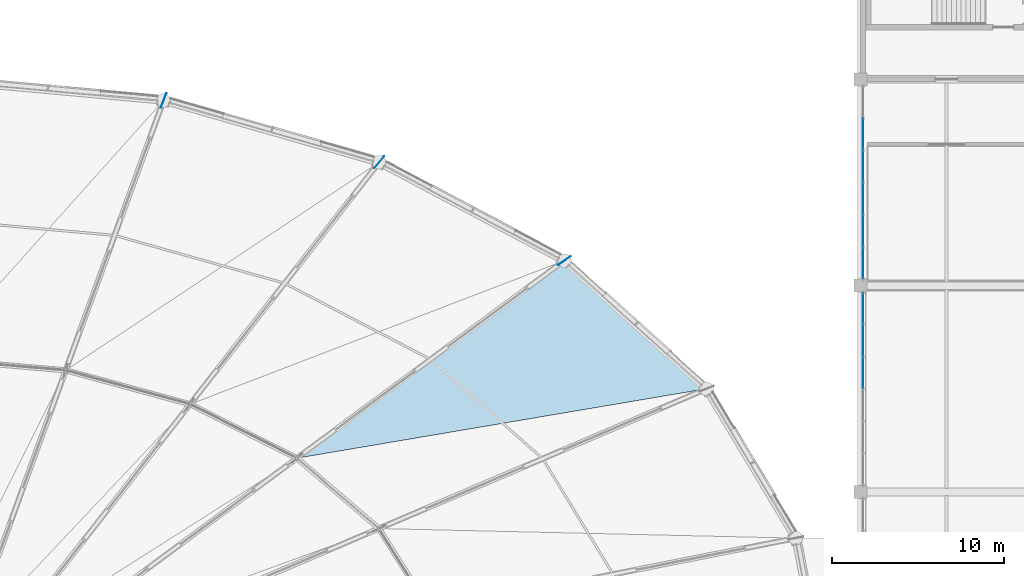
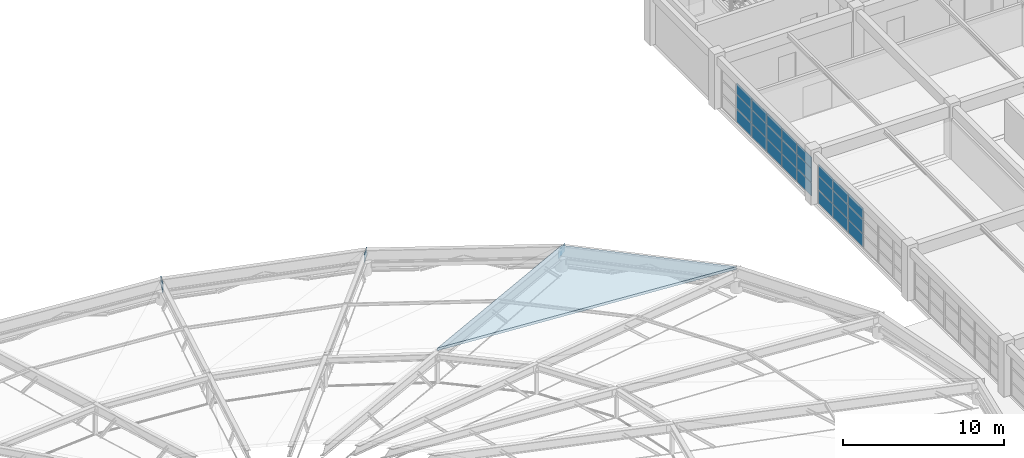
# One storey, part 54 of 83: 27 plates, 1 slab, 3 elements without a shape of their own.
"""IFC4 building model written with IfcOpenShell, lengths in metres."""

from ifc_helpers import new_model, si_unit, direction, frame, origin, origin_2d, place, context, subcontext, project, spatial, polyline, rectangle, outline, extrude, material, layer, layer_set, type_object, element, aggregate, save


model = new_model("IFC4")

# Units and contexts
model_context = context("Model", 3, precision=1e-05, world=origin(), true_north=direction((0.0, 1.0)))
body_context = subcontext(model_context, "Body", "Model", "MODEL_VIEW")
ifc_project = project(units=[si_unit("LENGTHUNIT", "METRE"), si_unit("AREAUNIT", "SQUARE_METRE"), si_unit("VOLUMEUNIT", "CUBIC_METRE"), si_unit("PLANEANGLEUNIT", "RADIAN"), si_unit("MASSUNIT", "GRAM", prefix="KILO")], contexts=[model_context])

# Site, building, storey
site_placement = place(None, origin())
site = spatial("IfcSite", under=ifc_project, at=site_placement, CompositionType="ELEMENT")
building_placement = place(site_placement, origin())
building = spatial("IfcBuilding", under=site, at=building_placement, Name="Kivolera Central Railway Station", CompositionType="ELEMENT")
storey_placement = place(building_placement, frame((0.0, 0.0, 14.39990234375)))
storey = spatial("IfcBuildingStorey", under=building, at=storey_placement, Name="L03", CompositionType="ELEMENT", Elevation=14.39990234375)

# Curtain wall, plates
ifc_material_1 = material(Name="Anodised aluminium", Category="aluminium")
ifc_layer_1 = layer(ifc_material_1, 0.179931640625, Name="Anodised aluminium")
ifc_layer_set_1 = layer_set([ifc_layer_1], Name="Anodised aluminium")
curtain_wall_type = type_object("IfcCurtainWallType", Name="CW-SYS-30", PredefinedType="NOTDEFINED", material=ifc_layer_set_1)
curtain_wall_1_placement = place(storey_placement, origin())
curtain_wall_1 = element("IfcCurtainWall", 1, at=curtain_wall_1_placement, inside=storey, type_object=curtain_wall_type, Name="L03 Curtain Wall CW-L03-WEST-J", PredefinedType="NOTDEFINED")
ifc_material_2 = material(Name="Double low-E laminated glass", Category="glass")
ifc_layer_2 = layer(ifc_material_2, 0.030029296875, Name="Double low-E laminated glass")
ifc_layer_set_2 = layer_set([ifc_layer_2], Name="Double low-E laminated glass")
plate_type_1 = type_object("IfcPlateType", Name="CWP-GLZ-2", PredefinedType="CURTAIN_PANEL", material=ifc_layer_set_2)
plate_1_placement = place(storey_placement, frame((118.14501953125, 108.938232421875, 0.05810546875), z_axis=(0.0, 0.0, 1.0), x_axis=(0.0, 1.0, 0.0)))
plate_1 = element("IfcPlate", 2, at=plate_1_placement, type_object=plate_type_1, Name="CW-30 panel 4.1", PredefinedType="CURTAIN_PANEL", context=body_context, shape_type="SweptSolid", body=[
    extrude(rectangle(XDim=1.83056640625, YDim=0.030029296875, at=origin_2d()), origin(), (0.0, 0.0, 1.0), 0.996337890625),
])
plate_2_placement = place(storey_placement, frame((118.14501953125, 108.938232421875, 1.100341796875), z_axis=(0.0, 0.0, 1.0), x_axis=(0.0, 1.0, 0.0)))
plate_2 = element("IfcPlate", 3, at=plate_2_placement, type_object=plate_type_1, Name="CW-30 panel 4.2", PredefinedType="CURTAIN_PANEL", context=body_context, shape_type="SweptSolid", body=[
    extrude(rectangle(XDim=1.83056640625, YDim=0.030029296875, at=origin_2d()), origin(), (0.0, 0.0, 1.0), 1.03125),
])
plate_3_placement = place(storey_placement, frame((118.14501953125, 108.938232421875, 2.177734375), z_axis=(0.0, 0.0, 1.0), x_axis=(0.0, 1.0, 0.0)))
plate_3 = element("IfcPlate", 4, at=plate_3_placement, type_object=plate_type_1, Name="CW-30 panel 4.3", PredefinedType="CURTAIN_PANEL", context=body_context, shape_type="SweptSolid", body=[
    extrude(rectangle(XDim=1.83056640625, YDim=0.030029296875, at=origin_2d()), origin(), (0.0, 0.0, 1.0), 0.84228515625),
])
plate_4_placement = place(storey_placement, frame((118.14501953125, 110.81494140625, 0.05810546875), z_axis=(0.0, 0.0, 1.0), x_axis=(0.0, 1.0, 0.0)))
plate_4 = element("IfcPlate", 5, at=plate_4_placement, type_object=plate_type_1, Name="CW-30 panel 5.1", PredefinedType="CURTAIN_PANEL", context=body_context, shape_type="SweptSolid", body=[
    extrude(rectangle(XDim=1.83056640625, YDim=0.030029296875, at=origin_2d()), origin(), (0.0, 0.0, 1.0), 0.996337890625),
])
plate_5_placement = place(storey_placement, frame((118.14501953125, 110.81494140625, 1.100341796875), z_axis=(0.0, 0.0, 1.0), x_axis=(0.0, 1.0, 0.0)))
plate_5 = element("IfcPlate", 6, at=plate_5_placement, type_object=plate_type_1, Name="CW-30 panel 5.2", PredefinedType="CURTAIN_PANEL", context=body_context, shape_type="SweptSolid", body=[
    extrude(rectangle(XDim=1.83056640625, YDim=0.030029296875, at=origin_2d()), origin(), (0.0, 0.0, 1.0), 1.03125),
])
plate_6_placement = place(storey_placement, frame((118.14501953125, 110.81494140625, 2.177734375), z_axis=(0.0, 0.0, 1.0), x_axis=(0.0, 1.0, 0.0)))
plate_6 = element("IfcPlate", 7, at=plate_6_placement, type_object=plate_type_1, Name="CW-30 panel 5.3", PredefinedType="CURTAIN_PANEL", context=body_context, shape_type="SweptSolid", body=[
    extrude(rectangle(XDim=1.83056640625, YDim=0.030029296875, at=origin_2d()), origin(), (0.0, 0.0, 1.0), 0.84228515625),
])
plate_7_placement = place(storey_placement, frame((118.14501953125, 112.674072265625, 0.05810546875), z_axis=(0.0, 0.0, 1.0), x_axis=(0.0, 1.0, 0.0)))
plate_7 = element("IfcPlate", 8, at=plate_7_placement, type_object=plate_type_1, Name="CW-30 panel 6.1", PredefinedType="CURTAIN_PANEL", context=body_context, shape_type="SweptSolid", body=[
    extrude(rectangle(XDim=1.795654296875, YDim=0.030029296875, at=origin_2d()), origin(), (0.0, 0.0, 1.0), 0.996337890625),
])
plate_8_placement = place(storey_placement, frame((118.14501953125, 112.674072265625, 1.100341796875), z_axis=(0.0, 0.0, 1.0), x_axis=(0.0, 1.0, 0.0)))
plate_8 = element("IfcPlate", 9, at=plate_8_placement, type_object=plate_type_1, Name="CW-30 panel 6.2", PredefinedType="CURTAIN_PANEL", context=body_context, shape_type="SweptSolid", body=[
    extrude(rectangle(XDim=1.795654296875, YDim=0.030029296875, at=origin_2d()), origin(), (0.0, 0.0, 1.0), 1.03125),
])
plate_9_placement = place(storey_placement, frame((118.14501953125, 112.674072265625, 2.177734375), z_axis=(0.0, 0.0, 1.0), x_axis=(0.0, 1.0, 0.0)))
plate_9 = element("IfcPlate", 10, at=plate_9_placement, type_object=plate_type_1, Name="CW-30 panel 6.3", PredefinedType="CURTAIN_PANEL", context=body_context, shape_type="SweptSolid", body=[
    extrude(rectangle(XDim=1.795654296875, YDim=0.030029296875, at=origin_2d()), origin(), (0.0, 0.0, 1.0), 0.84228515625),
])
aggregate(curtain_wall_1, [plate_1, plate_2, plate_3, plate_4, plate_5, plate_6, plate_7, plate_8, plate_9])

curtain_wall_2_placement = place(storey_placement, origin())
curtain_wall_2 = element("IfcCurtainWall", 11, at=curtain_wall_2_placement, inside=storey, type_object=curtain_wall_type, Name="L03 Curtain Wall CW-L03-WEST-K", PredefinedType="NOTDEFINED")
plate_10_placement = place(storey_placement, frame((118.14501953125, 115.325927734375, 0.05810546875), z_axis=(0.0, 0.0, 1.0), x_axis=(0.0, 1.0, 0.0)))
plate_10 = element("IfcPlate", 12, at=plate_10_placement, type_object=plate_type_1, Name="CW-30 panel 1.1", PredefinedType="CURTAIN_PANEL", context=body_context, shape_type="SweptSolid", body=[
    extrude(rectangle(XDim=1.795654296875, YDim=0.030029296875, at=origin_2d()), origin(), (0.0, 0.0, 1.0), 0.996337890625),
])
plate_11_placement = place(storey_placement, frame((118.14501953125, 115.325927734375, 1.100341796875), z_axis=(0.0, 0.0, 1.0), x_axis=(0.0, 1.0, 0.0)))
plate_11 = element("IfcPlate", 13, at=plate_11_placement, type_object=plate_type_1, Name="CW-30 panel 1.2", PredefinedType="CURTAIN_PANEL", context=body_context, shape_type="SweptSolid", body=[
    extrude(rectangle(XDim=1.795654296875, YDim=0.030029296875, at=origin_2d()), origin(), (0.0, 0.0, 1.0), 1.03125),
])
plate_12_placement = place(storey_placement, frame((118.14501953125, 115.325927734375, 2.177734375), z_axis=(0.0, 0.0, 1.0), x_axis=(0.0, 1.0, 0.0)))
plate_12 = element("IfcPlate", 14, at=plate_12_placement, type_object=plate_type_1, Name="CW-30 panel 1.3", PredefinedType="CURTAIN_PANEL", context=body_context, shape_type="SweptSolid", body=[
    extrude(rectangle(XDim=1.795654296875, YDim=0.030029296875, at=origin_2d()), origin(), (0.0, 0.0, 1.0), 0.84228515625),
])
plate_13_placement = place(storey_placement, frame((118.14501953125, 117.18505859375, 0.05810546875), z_axis=(0.0, 0.0, 1.0), x_axis=(0.0, 1.0, 0.0)))
plate_13 = element("IfcPlate", 15, at=plate_13_placement, type_object=plate_type_1, Name="CW-30 panel 2.1", PredefinedType="CURTAIN_PANEL", context=body_context, shape_type="SweptSolid", body=[
    extrude(rectangle(XDim=1.83056640625, YDim=0.030029296875, at=origin_2d()), origin(), (0.0, 0.0, 1.0), 0.996337890625),
])
plate_14_placement = place(storey_placement, frame((118.14501953125, 117.18505859375, 1.100341796875), z_axis=(0.0, 0.0, 1.0), x_axis=(0.0, 1.0, 0.0)))
plate_14 = element("IfcPlate", 16, at=plate_14_placement, type_object=plate_type_1, Name="CW-30 panel 2.2", PredefinedType="CURTAIN_PANEL", context=body_context, shape_type="SweptSolid", body=[
    extrude(rectangle(XDim=1.83056640625, YDim=0.030029296875, at=origin_2d()), origin(), (0.0, 0.0, 1.0), 1.03125),
])
plate_15_placement = place(storey_placement, frame((118.14501953125, 117.18505859375, 2.177734375), z_axis=(0.0, 0.0, 1.0), x_axis=(0.0, 1.0, 0.0)))
plate_15 = element("IfcPlate", 17, at=plate_15_placement, type_object=plate_type_1, Name="CW-30 panel 2.3", PredefinedType="CURTAIN_PANEL", context=body_context, shape_type="SweptSolid", body=[
    extrude(rectangle(XDim=1.83056640625, YDim=0.030029296875, at=origin_2d()), origin(), (0.0, 0.0, 1.0), 0.84228515625),
])
plate_16_placement = place(storey_placement, frame((118.14501953125, 119.061767578125, 0.05810546875), z_axis=(0.0, 0.0, 1.0), x_axis=(0.0, 1.0, 0.0)))
plate_16 = element("IfcPlate", 18, at=plate_16_placement, type_object=plate_type_1, Name="CW-30 panel 3.1", PredefinedType="CURTAIN_PANEL", context=body_context, shape_type="SweptSolid", body=[
    extrude(rectangle(XDim=1.83056640625, YDim=0.030029296875, at=origin_2d()), origin(), (0.0, 0.0, 1.0), 0.996337890625),
])
plate_17_placement = place(storey_placement, frame((118.14501953125, 119.061767578125, 1.100341796875), z_axis=(0.0, 0.0, 1.0), x_axis=(0.0, 1.0, 0.0)))
plate_17 = element("IfcPlate", 19, at=plate_17_placement, type_object=plate_type_1, Name="CW-30 panel 3.2", PredefinedType="CURTAIN_PANEL", context=body_context, shape_type="SweptSolid", body=[
    extrude(rectangle(XDim=1.83056640625, YDim=0.030029296875, at=origin_2d()), origin(), (0.0, 0.0, 1.0), 1.03125),
])
plate_18_placement = place(storey_placement, frame((118.14501953125, 119.061767578125, 2.177734375), z_axis=(0.0, 0.0, 1.0), x_axis=(0.0, 1.0, 0.0)))
plate_18 = element("IfcPlate", 20, at=plate_18_placement, type_object=plate_type_1, Name="CW-30 panel 3.3", PredefinedType="CURTAIN_PANEL", context=body_context, shape_type="SweptSolid", body=[
    extrude(rectangle(XDim=1.83056640625, YDim=0.030029296875, at=origin_2d()), origin(), (0.0, 0.0, 1.0), 0.84228515625),
])
plate_19_placement = place(storey_placement, frame((118.14501953125, 120.938232421875, 0.05810546875), z_axis=(0.0, 0.0, 1.0), x_axis=(0.0, 1.0, 0.0)))
plate_19 = element("IfcPlate", 21, at=plate_19_placement, type_object=plate_type_1, Name="CW-30 panel 4.1", PredefinedType="CURTAIN_PANEL", context=body_context, shape_type="SweptSolid", body=[
    extrude(rectangle(XDim=1.83056640625, YDim=0.030029296875, at=origin_2d()), origin(), (0.0, 0.0, 1.0), 0.996337890625),
])
plate_20_placement = place(storey_placement, frame((118.14501953125, 120.938232421875, 1.100341796875), z_axis=(0.0, 0.0, 1.0), x_axis=(0.0, 1.0, 0.0)))
plate_20 = element("IfcPlate", 22, at=plate_20_placement, type_object=plate_type_1, Name="CW-30 panel 4.2", PredefinedType="CURTAIN_PANEL", context=body_context, shape_type="SweptSolid", body=[
    extrude(rectangle(XDim=1.83056640625, YDim=0.030029296875, at=origin_2d()), origin(), (0.0, 0.0, 1.0), 1.03125),
])
plate_21_placement = place(storey_placement, frame((118.14501953125, 120.938232421875, 2.177734375), z_axis=(0.0, 0.0, 1.0), x_axis=(0.0, 1.0, 0.0)))
plate_21 = element("IfcPlate", 23, at=plate_21_placement, type_object=plate_type_1, Name="CW-30 panel 4.3", PredefinedType="CURTAIN_PANEL", context=body_context, shape_type="SweptSolid", body=[
    extrude(rectangle(XDim=1.83056640625, YDim=0.030029296875, at=origin_2d()), origin(), (0.0, 0.0, 1.0), 0.84228515625),
])
plate_22_placement = place(storey_placement, frame((118.14501953125, 122.81494140625, 0.05810546875), z_axis=(0.0, 0.0, 1.0), x_axis=(0.0, 1.0, 0.0)))
plate_22 = element("IfcPlate", 24, at=plate_22_placement, type_object=plate_type_1, Name="CW-30 panel 5.1", PredefinedType="CURTAIN_PANEL", context=body_context, shape_type="SweptSolid", body=[
    extrude(rectangle(XDim=1.83056640625, YDim=0.030029296875, at=origin_2d()), origin(), (0.0, 0.0, 1.0), 0.996337890625),
])
plate_23_placement = place(storey_placement, frame((118.14501953125, 122.81494140625, 1.100341796875), z_axis=(0.0, 0.0, 1.0), x_axis=(0.0, 1.0, 0.0)))
plate_23 = element("IfcPlate", 25, at=plate_23_placement, type_object=plate_type_1, Name="CW-30 panel 5.2", PredefinedType="CURTAIN_PANEL", context=body_context, shape_type="SweptSolid", body=[
    extrude(rectangle(XDim=1.83056640625, YDim=0.030029296875, at=origin_2d()), origin(), (0.0, 0.0, 1.0), 1.03125),
])
plate_24_placement = place(storey_placement, frame((118.14501953125, 122.81494140625, 2.177734375), z_axis=(0.0, 0.0, 1.0), x_axis=(0.0, 1.0, 0.0)))
plate_24 = element("IfcPlate", 26, at=plate_24_placement, type_object=plate_type_1, Name="CW-30 panel 5.3", PredefinedType="CURTAIN_PANEL", context=body_context, shape_type="SweptSolid", body=[
    extrude(rectangle(XDim=1.83056640625, YDim=0.030029296875, at=origin_2d()), origin(), (0.0, 0.0, 1.0), 0.84228515625),
])
aggregate(curtain_wall_2, [plate_10, plate_11, plate_12, plate_13, plate_14, plate_15, plate_16, plate_17, plate_18, plate_19, plate_20, plate_21, plate_22, plate_23, plate_24])

# Plates
ifc_material_3 = material(Name="Steel S355", Category="steel")
ifc_layer_3 = layer(ifc_material_3, 0.028076171875, Name="Steel S355")
ifc_layer_set_3 = layer_set([ifc_layer_3], Name="Steel S355")
plate_type_2 = type_object("IfcPlateType", Name="PLT-GUS-900", PredefinedType="SHEET", material=ifc_layer_set_3)
for number, where, z_axis, x_axis, name in (
    (27, (100.77001953125, 115.4560546875, 1.050048828125), (0.0, 0.0, 1.0), (0.82219371691, 0.569207775661, 0.0), "Dome Springing Node Gusset Plate NP-04"),
    (28, (90.0, 121.177001953125, 1.050048828125), (0.0, 0.0, 1.0), (0.640458269571, 0.767992971933, 0.0), "Dome Springing Node Gusset Plate NP-05"),
    (29, (77.458984375, 124.77294921875, 1.050048828125), (0.0, 0.0, 1.0), (0.360957320631, 0.932582335605, 0.0), "Dome Springing Node Gusset Plate NP-06"),
):
    element("IfcPlate", number, at=place(storey_placement, frame(where, z_axis=z_axis, x_axis=x_axis)), inside=storey, type_object=plate_type_2, Name=name, PredefinedType="SHEET", context=body_context, shape_type="SweptSolid", body=[
        extrude(rectangle(XDim=0.89990234375, YDim=0.028076171875, at=origin_2d()), origin(), (0.0, 0.0, 1.0), 0.60009765625),
    ])

# Roof, slab
roof_type = type_object("IfcRoofType", Name="ROOF-DOME-MAIN", PredefinedType="DOME_ROOF", material=ifc_material_3)
roof_placement = place(storey_placement, origin())
roof = element("IfcRoof", 30, at=roof_placement, inside=storey, type_object=roof_type, Name="Oval Concourse Radial-Ribbed Cable-Net Dome Roof", PredefinedType="DOME_ROOF")
ifc_material_4 = material(Name="Precast concrete C40/50", Category="concrete")
ifc_layer_4 = layer(ifc_material_4, 0.179931640625, Name="Precast concrete C40/50")
ifc_layer_set_4 = layer_set([ifc_layer_4], Name="Precast concrete C40/50")
slab_type = type_object("IfcSlabType", Name="SLB-DOME-180", PredefinedType="ROOF", material=ifc_layer_set_4)
slab_placement = place(storey_placement, frame((109.032958984375, 108.0, 1.800048828125), z_axis=(0.158008426344, 0.175107897499, 0.971787302571), x_axis=(-0.74242638035, 0.669927660095, 0.0)))
slab = element("IfcSlab", 31, at=slab_placement, type_object=slab_type, Name="Oval Dome Faceted Roof Panel F1A-02", PredefinedType="ROOF", context=body_context, shape_type="SweptSolid", body=[
    extrude(outline(polyline([(0.0, 0.0), (11.12964149957223, 8.881784197001252e-16), (14.981547903628956, 19.50359693066863), (0.0, 0.0)])), origin(), (0.0, 0.0, -1.0), 0.179931640625),
])
aggregate(roof, [slab])

save(model, "model.ifc")
